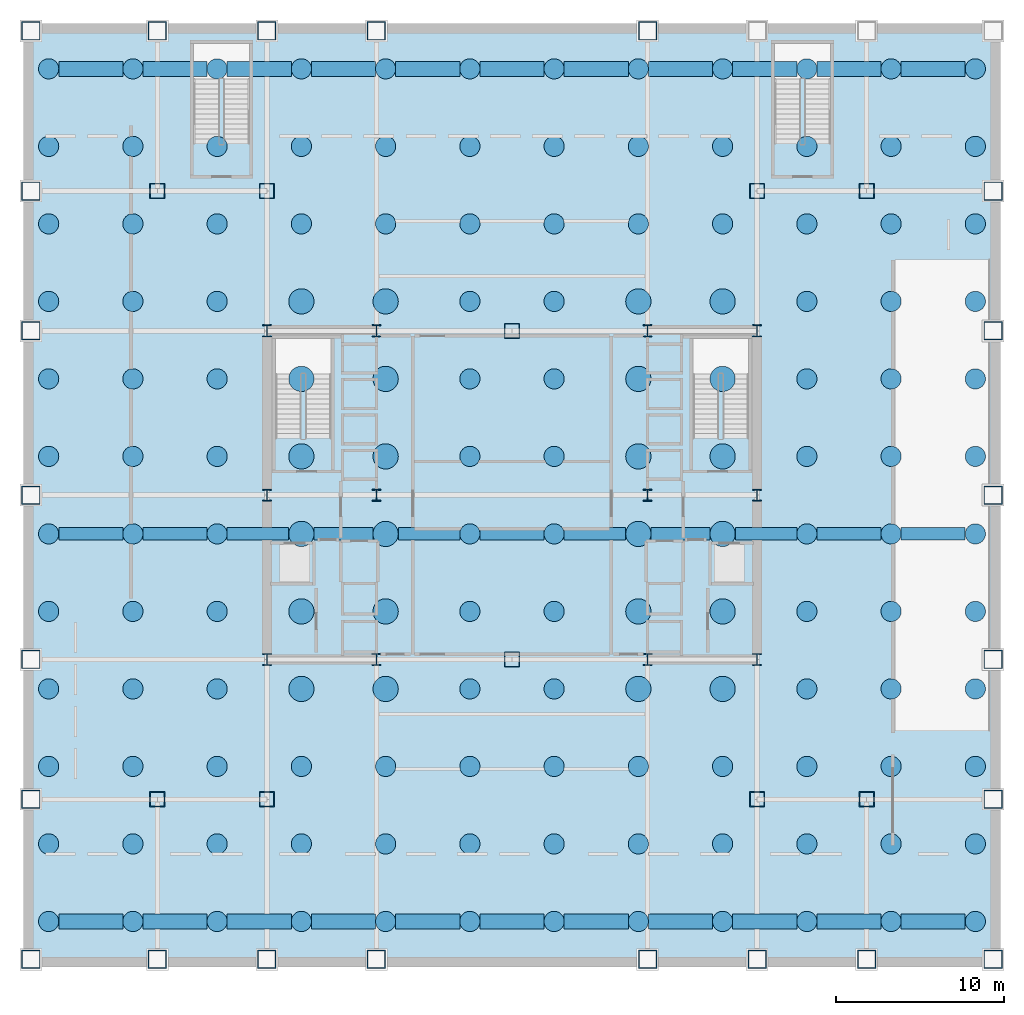
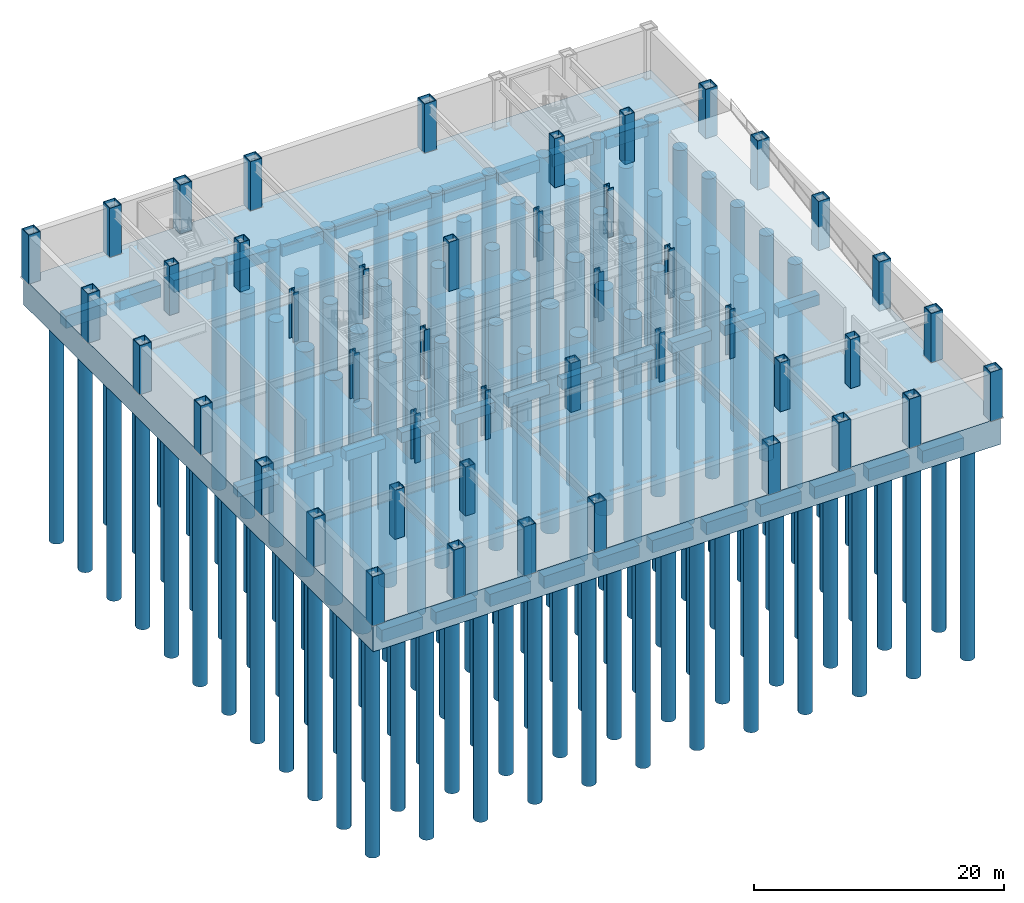
# One storey, part 1 of 8: 144 piles, 45 columns, 34 footings.
"""IFC4 building model written with IfcOpenShell, lengths in metres."""

from ifc_helpers import new_model, si_unit, direction, frame, origin, origin_2d, place, context, subcontext, project, spatial, polyline, rectangle, hollow_rectangle, circle, i_section, outline, extrude, material, layer, layer_set, material_profile, profile_set, type_object, element, save


model = new_model("IFC4")

# Units and contexts
model_context = context("Model", 3, precision=1e-05, world=origin(), true_north=direction((0.0, 1.0)))
body_context = subcontext(model_context, "Body", "Model", "MODEL_VIEW")
ifc_project = project(units=[si_unit("LENGTHUNIT", "METRE"), si_unit("AREAUNIT", "SQUARE_METRE"), si_unit("VOLUMEUNIT", "CUBIC_METRE"), si_unit("PLANEANGLEUNIT", "RADIAN"), si_unit("MASSUNIT", "GRAM", prefix="KILO")], contexts=[model_context])

# Site, building, storey
site_placement = place(None, origin())
site = spatial("IfcSite", under=ifc_project, at=site_placement, CompositionType="ELEMENT")
building_placement = place(site_placement, origin())
building = spatial("IfcBuilding", under=site, at=building_placement, Name="Brelmoor Portico Tower", CompositionType="ELEMENT")
storey_placement = place(building_placement, frame((0.0, 0.0, -9.60009765625)))
storey = spatial("IfcBuildingStorey", under=building, at=storey_placement, Name="B2", CompositionType="ELEMENT", Elevation=-9.60009765625)

# Footings
ifc_material_1 = material(Name="Concrete C50", Category="concrete")
ifc_layer = layer(ifc_material_1, 2.60009765625)
ifc_layer_set = layer_set([ifc_layer], Name="Concrete C50")
footing_type_1 = type_object("IfcFootingType", Name="FT-RAFT-2600", PredefinedType="PILE_CAP", material=ifc_layer_set)
footing_1_placement = place(storey_placement, frame((0.0, 0.0, -2.599853515625)))
element("IfcFooting", 1, at=footing_1_placement, inside=storey, type_object=footing_type_1, Name="Unified Piled Raft Foundation RF-01", PredefinedType="PILE_CAP", context=body_context, shape_type="SweptSolid", body=[
    extrude(outline(polyline([(-29.0, -28.0), (29.0, -28.0), (29.0, 28.0), (-29.0, 28.0), (-29.0, -28.0)])), origin(), (0.0, 0.0, 1.0), 2.599853515625),
])
ifc_material_profile_1 = material_profile(ifc_material_1, rectangle(XDim=0.75, YDim=1.0, at=origin_2d()), Name="RC 750x1000")
ifc_profile_set_1 = profile_set([ifc_material_profile_1], Name="Concrete C50")
footing_type_2 = type_object("IfcFootingType", Name="FT-TIE-750x1000", PredefinedType="FOOTING_BEAM", material=ifc_profile_set_1)
for number, where, z_axis, x_axis, name in (
    (2, (-26.89990234375, -2.300048828125, -3.099853515625), (1.0, 0.0, 0.0), (0.0, 1.0, 0.0), "Foundation Tie Beam FB-12"),
    (3, (-21.89990234375, -2.300048828125, -3.099853515625), (1.0, 0.0, 0.0), (0.0, 1.0, 0.0), "Foundation Tie Beam FB-13"),
):
    element("IfcFooting", number, at=place(storey_placement, frame(where, z_axis=z_axis, x_axis=x_axis)), inside=storey, type_object=footing_type_2, Name=name, PredefinedType="FOOTING_BEAM", context=body_context, shape_type="SweptSolid", body=[
        extrude(rectangle(XDim=0.75, YDim=1.0, at=origin_2d()), origin(), (0.0, 0.0, 1.0), 3.7998046875),
    ])
footing_2_placement = place(storey_placement, frame((-16.89990234375, -2.300048828125, -3.099853515625), z_axis=(1.0, 0.0, 0.0), x_axis=(0.0, 1.0, 0.0)))
element("IfcFooting", 4, at=footing_2_placement, inside=storey, type_object=footing_type_2, Name="Foundation Tie Beam FB-14", PredefinedType="FOOTING_BEAM", context=body_context, shape_type="SweptSolid", body=[
    extrude(rectangle(XDim=0.75, YDim=1.0, at=origin_2d()), origin(), (0.0, 0.0, 1.0), 3.64990234375),
])
footing_3_placement = place(storey_placement, frame((-11.75, -2.300048828125, -3.099853515625), z_axis=(1.0, 0.0, 0.0), x_axis=(0.0, 1.0, 0.0)))
element("IfcFooting", 5, at=footing_3_placement, inside=storey, type_object=footing_type_2, Name="Foundation Tie Beam FB-15", PredefinedType="FOOTING_BEAM", context=body_context, shape_type="SweptSolid", body=[
    extrude(rectangle(XDim=0.75, YDim=1.0, at=origin_2d()), origin(), (0.0, 0.0, 1.0), 3.5),
])
footing_4_placement = place(storey_placement, frame((-6.75, -2.300048828125, -3.099853515625), z_axis=(1.0, 0.0, 0.0), x_axis=(0.0, 1.0, 0.0)))
element("IfcFooting", 6, at=footing_4_placement, inside=storey, type_object=footing_type_2, Name="Foundation Tie Beam FB-16", PredefinedType="FOOTING_BEAM", context=body_context, shape_type="SweptSolid", body=[
    extrude(rectangle(XDim=0.75, YDim=1.0, at=origin_2d()), origin(), (0.0, 0.0, 1.0), 3.64990234375),
])
footing_5_placement = place(storey_placement, frame((-1.89990234375, -2.300048828125, -3.099853515625), z_axis=(1.0, 0.0, 0.0), x_axis=(0.0, 1.0, 0.0)))
element("IfcFooting", 7, at=footing_5_placement, inside=storey, type_object=footing_type_2, Name="Foundation Tie Beam FB-17", PredefinedType="FOOTING_BEAM", context=body_context, shape_type="SweptSolid", body=[
    extrude(rectangle(XDim=0.75, YDim=1.0, at=origin_2d()), origin(), (0.0, 0.0, 1.0), 3.7998046875),
])
footing_6_placement = place(storey_placement, frame((3.10009765625, -2.300048828125, -3.099853515625), z_axis=(1.0, 0.0, 0.0), x_axis=(0.0, 1.0, 0.0)))
element("IfcFooting", 8, at=footing_6_placement, inside=storey, type_object=footing_type_2, Name="Foundation Tie Beam FB-18", PredefinedType="FOOTING_BEAM", context=body_context, shape_type="SweptSolid", body=[
    extrude(rectangle(XDim=0.75, YDim=1.0, at=origin_2d()), origin(), (0.0, 0.0, 1.0), 3.64990234375),
])
footing_7_placement = place(storey_placement, frame((8.25, -2.300048828125, -3.099853515625), z_axis=(1.0, 0.0, 0.0), x_axis=(0.0, 1.0, 0.0)))
element("IfcFooting", 9, at=footing_7_placement, inside=storey, type_object=footing_type_2, Name="Foundation Tie Beam FB-19", PredefinedType="FOOTING_BEAM", context=body_context, shape_type="SweptSolid", body=[
    extrude(rectangle(XDim=0.75, YDim=1.0, at=origin_2d()), origin(), (0.0, 0.0, 1.0), 3.5),
])
footing_8_placement = place(storey_placement, frame((13.25, -2.300048828125, -3.099853515625), z_axis=(1.0, 0.0, 0.0), x_axis=(0.0, 1.0, 0.0)))
element("IfcFooting", 10, at=footing_8_placement, inside=storey, type_object=footing_type_2, Name="Foundation Tie Beam FB-20", PredefinedType="FOOTING_BEAM", context=body_context, shape_type="SweptSolid", body=[
    extrude(rectangle(XDim=0.75, YDim=1.0, at=origin_2d()), origin(), (0.0, 0.0, 1.0), 3.64990234375),
])
for number, where, z_axis, x_axis, name in (
    (11, (18.10009765625, -2.300048828125, -3.099853515625), (1.0, 0.0, 0.0), (0.0, 1.0, 0.0), "Foundation Tie Beam FB-21"),
    (12, (23.10009765625, -2.300048828125, -3.099853515625), (1.0, 0.0, 0.0), (0.0, 1.0, 0.0), "Foundation Tie Beam FB-22"),
):
    element("IfcFooting", number, at=place(storey_placement, frame(where, z_axis=z_axis, x_axis=x_axis)), inside=storey, type_object=footing_type_2, Name=name, PredefinedType="FOOTING_BEAM", context=body_context, shape_type="SweptSolid", body=[
        extrude(rectangle(XDim=0.75, YDim=1.0, at=origin_2d()), origin(), (0.0, 0.0, 1.0), 3.7998046875),
    ])
ifc_material_profile_2 = material_profile(ifc_material_1, rectangle(XDim=0.89990234375, YDim=1.199951171875, at=origin_2d()), Name="RC 900x1200")
ifc_profile_set_2 = profile_set([ifc_material_profile_2], Name="Concrete C50")
footing_type_3 = type_object("IfcFootingType", Name="FT-TIE-900x1200", PredefinedType="FOOTING_BEAM", material=ifc_profile_set_2)
for number, where, z_axis, x_axis, name in (
    (13, (-26.89990234375, -25.300048828125, -3.199951171875), (1.0, 0.0, 0.0), (0.0, 1.0, 0.0), "Foundation Tie Beam FB-01"),
    (14, (-21.89990234375, -25.300048828125, -3.199951171875), (1.0, 0.0, 0.0), (0.0, 1.0, 0.0), "Foundation Tie Beam FB-02"),
    (15, (-16.89990234375, -25.300048828125, -3.199951171875), (1.0, 0.0, 0.0), (0.0, 1.0, 0.0), "Foundation Tie Beam FB-03"),
    (16, (-11.89990234375, -25.300048828125, -3.199951171875), (1.0, 0.0, 0.0), (0.0, 1.0, 0.0), "Foundation Tie Beam FB-04"),
    (17, (-6.89990234375, -25.300048828125, -3.199951171875), (1.0, 0.0, 0.0), (0.0, 1.0, 0.0), "Foundation Tie Beam FB-05"),
    (18, (-1.89990234375, -25.300048828125, -3.199951171875), (1.0, 0.0, 0.0), (0.0, 1.0, 0.0), "Foundation Tie Beam FB-06"),
    (19, (3.10009765625, -25.300048828125, -3.199951171875), (1.0, 0.0, 0.0), (0.0, 1.0, 0.0), "Foundation Tie Beam FB-07"),
    (20, (8.10009765625, -25.300048828125, -3.199951171875), (1.0, 0.0, 0.0), (0.0, 1.0, 0.0), "Foundation Tie Beam FB-08"),
    (21, (13.10009765625, -25.300048828125, -3.199951171875), (1.0, 0.0, 0.0), (0.0, 1.0, 0.0), "Foundation Tie Beam FB-09"),
    (22, (18.10009765625, -25.300048828125, -3.199951171875), (1.0, 0.0, 0.0), (0.0, 1.0, 0.0), "Foundation Tie Beam FB-10"),
    (23, (23.10009765625, -25.300048828125, -3.199951171875), (1.0, 0.0, 0.0), (0.0, 1.0, 0.0), "Foundation Tie Beam FB-11"),
    (24, (-26.89990234375, 25.300048828125, -3.199951171875), (1.0, 0.0, 0.0), (0.0, 1.0, 0.0), "Foundation Tie Beam FB-23"),
    (25, (-21.89990234375, 25.300048828125, -3.199951171875), (1.0, 0.0, 0.0), (0.0, 1.0, 0.0), "Foundation Tie Beam FB-24"),
    (26, (-16.89990234375, 25.300048828125, -3.199951171875), (1.0, 0.0, 0.0), (0.0, 1.0, 0.0), "Foundation Tie Beam FB-25"),
    (27, (-11.89990234375, 25.300048828125, -3.199951171875), (1.0, 0.0, 0.0), (0.0, 1.0, 0.0), "Foundation Tie Beam FB-26"),
    (28, (-6.89990234375, 25.300048828125, -3.199951171875), (1.0, 0.0, 0.0), (0.0, 1.0, 0.0), "Foundation Tie Beam FB-27"),
    (29, (-1.89990234375, 25.300048828125, -3.199951171875), (1.0, 0.0, 0.0), (0.0, 1.0, 0.0), "Foundation Tie Beam FB-28"),
    (30, (3.10009765625, 25.300048828125, -3.199951171875), (1.0, 0.0, 0.0), (0.0, 1.0, 0.0), "Foundation Tie Beam FB-29"),
    (31, (8.10009765625, 25.300048828125, -3.199951171875), (1.0, 0.0, 0.0), (0.0, 1.0, 0.0), "Foundation Tie Beam FB-30"),
    (32, (13.10009765625, 25.300048828125, -3.199951171875), (1.0, 0.0, 0.0), (0.0, 1.0, 0.0), "Foundation Tie Beam FB-31"),
    (33, (18.10009765625, 25.300048828125, -3.199951171875), (1.0, 0.0, 0.0), (0.0, 1.0, 0.0), "Foundation Tie Beam FB-32"),
    (34, (23.10009765625, 25.300048828125, -3.199951171875), (1.0, 0.0, 0.0), (0.0, 1.0, 0.0), "Foundation Tie Beam FB-33"),
):
    element("IfcFooting", number, at=place(storey_placement, frame(where, z_axis=z_axis, x_axis=x_axis)), inside=storey, type_object=footing_type_3, Name=name, PredefinedType="FOOTING_BEAM", context=body_context, shape_type="SweptSolid", body=[
        extrude(rectangle(XDim=0.89990234375, YDim=1.199951171875, at=origin_2d()), origin(), (0.0, 0.0, 1.0), 3.7998046875),
    ])

# Piles
ifc_material_profile_3 = material_profile(ifc_material_1, circle(Radius=0.60009765625, at=origin_2d()), Name="BORED PILE D1200")
ifc_profile_set_3 = profile_set([ifc_material_profile_3], Name="Concrete C50")
pile_type_1 = type_object("IfcPileType", Name="PL-BORED-1200", PredefinedType="BORED", material=ifc_profile_set_3)
for number, where, z_axis, x_axis, name in (
    (35, (-27.5, -25.300048828125, -2.5), (0.0, 0.0, -1.0), (1.0, 0.0, 0.0), "Bored Pile 001"),
    (36, (-22.5, -25.300048828125, -2.5), (0.0, 0.0, -1.0), (1.0, 0.0, 0.0), "Bored Pile 002"),
    (37, (-17.5, -25.300048828125, -2.5), (0.0, 0.0, -1.0), (1.0, 0.0, 0.0), "Bored Pile 003"),
    (38, (-12.5, -25.300048828125, -2.5), (0.0, 0.0, -1.0), (1.0, 0.0, 0.0), "Bored Pile 004"),
    (39, (-7.5, -25.300048828125, -2.5), (0.0, 0.0, -1.0), (1.0, 0.0, 0.0), "Bored Pile 005"),
    (40, (-2.5, -25.300048828125, -2.5), (0.0, 0.0, -1.0), (1.0, 0.0, 0.0), "Bored Pile 006"),
    (41, (2.5, -25.300048828125, -2.5), (0.0, 0.0, -1.0), (1.0, 0.0, 0.0), "Bored Pile 007"),
    (42, (7.5, -25.300048828125, -2.5), (0.0, 0.0, -1.0), (1.0, 0.0, 0.0), "Bored Pile 008"),
    (43, (12.5, -25.300048828125, -2.5), (0.0, 0.0, -1.0), (1.0, 0.0, 0.0), "Bored Pile 009"),
    (44, (17.5, -25.300048828125, -2.5), (0.0, 0.0, -1.0), (1.0, 0.0, 0.0), "Bored Pile 010"),
    (45, (22.5, -25.300048828125, -2.5), (0.0, 0.0, -1.0), (1.0, 0.0, 0.0), "Bored Pile 011"),
    (46, (27.5, -25.300048828125, -2.5), (0.0, 0.0, -1.0), (1.0, 0.0, 0.0), "Bored Pile 012"),
    (47, (-27.5, -20.699951171875, -2.5), (0.0, 0.0, -1.0), (1.0, 0.0, 0.0), "Bored Pile 013"),
    (48, (-22.5, -20.699951171875, -2.5), (0.0, 0.0, -1.0), (1.0, 0.0, 0.0), "Bored Pile 014"),
    (49, (-17.5, -20.699951171875, -2.5), (0.0, 0.0, -1.0), (1.0, 0.0, 0.0), "Bored Pile 015"),
    (50, (-12.5, -20.699951171875, -2.5), (0.0, 0.0, -1.0), (1.0, 0.0, 0.0), "Bored Pile 016"),
    (51, (-7.5, -20.699951171875, -2.5), (0.0, 0.0, -1.0), (1.0, 0.0, 0.0), "Bored Pile 017"),
    (52, (-2.5, -20.699951171875, -2.5), (0.0, 0.0, -1.0), (1.0, 0.0, 0.0), "Bored Pile 018"),
    (53, (2.5, -20.699951171875, -2.5), (0.0, 0.0, -1.0), (1.0, 0.0, 0.0), "Bored Pile 019"),
    (54, (7.5, -20.699951171875, -2.5), (0.0, 0.0, -1.0), (1.0, 0.0, 0.0), "Bored Pile 020"),
    (55, (12.5, -20.699951171875, -2.5), (0.0, 0.0, -1.0), (1.0, 0.0, 0.0), "Bored Pile 021"),
    (56, (17.5, -20.699951171875, -2.5), (0.0, 0.0, -1.0), (1.0, 0.0, 0.0), "Bored Pile 022"),
    (57, (22.5, -20.699951171875, -2.5), (0.0, 0.0, -1.0), (1.0, 0.0, 0.0), "Bored Pile 023"),
    (58, (27.5, -20.699951171875, -2.5), (0.0, 0.0, -1.0), (1.0, 0.0, 0.0), "Bored Pile 024"),
    (59, (-27.5, -16.10009765625, -2.5), (0.0, 0.0, -1.0), (1.0, 0.0, 0.0), "Bored Pile 025"),
    (60, (-22.5, -16.10009765625, -2.5), (0.0, 0.0, -1.0), (1.0, 0.0, 0.0), "Bored Pile 026"),
    (61, (-17.5, -16.10009765625, -2.5), (0.0, 0.0, -1.0), (1.0, 0.0, 0.0), "Bored Pile 027"),
    (62, (-12.5, -16.10009765625, -2.5), (0.0, 0.0, -1.0), (1.0, 0.0, 0.0), "Bored Pile 028"),
    (63, (-7.5, -16.10009765625, -2.5), (0.0, 0.0, -1.0), (1.0, 0.0, 0.0), "Bored Pile 029"),
    (64, (-2.5, -16.10009765625, -2.5), (0.0, 0.0, -1.0), (1.0, 0.0, 0.0), "Bored Pile 030"),
    (65, (2.5, -16.10009765625, -2.5), (0.0, 0.0, -1.0), (1.0, 0.0, 0.0), "Bored Pile 031"),
    (66, (7.5, -16.10009765625, -2.5), (0.0, 0.0, -1.0), (1.0, 0.0, 0.0), "Bored Pile 032"),
    (67, (12.5, -16.10009765625, -2.5), (0.0, 0.0, -1.0), (1.0, 0.0, 0.0), "Bored Pile 033"),
    (68, (17.5, -16.10009765625, -2.5), (0.0, 0.0, -1.0), (1.0, 0.0, 0.0), "Bored Pile 034"),
    (69, (22.5, -16.10009765625, -2.5), (0.0, 0.0, -1.0), (1.0, 0.0, 0.0), "Bored Pile 035"),
    (70, (27.5, -16.10009765625, -2.5), (0.0, 0.0, -1.0), (1.0, 0.0, 0.0), "Bored Pile 036"),
    (71, (-27.5, -11.5, -2.5), (0.0, 0.0, -1.0), (1.0, 0.0, 0.0), "Bored Pile 037"),
    (72, (-22.5, -11.5, -2.5), (0.0, 0.0, -1.0), (1.0, 0.0, 0.0), "Bored Pile 038"),
    (73, (-17.5, -11.5, -2.5), (0.0, 0.0, -1.0), (1.0, 0.0, 0.0), "Bored Pile 039"),
    (74, (-2.5, -11.5, -2.5), (0.0, 0.0, -1.0), (1.0, 0.0, 0.0), "Bored Pile 042"),
    (75, (2.5, -11.5, -2.5), (0.0, 0.0, -1.0), (1.0, 0.0, 0.0), "Bored Pile 043"),
    (76, (17.5, -11.5, -2.5), (0.0, 0.0, -1.0), (1.0, 0.0, 0.0), "Bored Pile 046"),
    (77, (22.5, -11.5, -2.5), (0.0, 0.0, -1.0), (1.0, 0.0, 0.0), "Bored Pile 047"),
    (78, (27.5, -11.5, -2.5), (0.0, 0.0, -1.0), (1.0, 0.0, 0.0), "Bored Pile 048"),
    (79, (-27.5, -6.89990234375, -2.5), (0.0, 0.0, -1.0), (1.0, 0.0, 0.0), "Bored Pile 049"),
    (80, (-22.5, -6.89990234375, -2.5), (0.0, 0.0, -1.0), (1.0, 0.0, 0.0), "Bored Pile 050"),
    (81, (-17.5, -6.89990234375, -2.5), (0.0, 0.0, -1.0), (1.0, 0.0, 0.0), "Bored Pile 051"),
    (82, (-2.5, -6.89990234375, -2.5), (0.0, 0.0, -1.0), (1.0, 0.0, 0.0), "Bored Pile 054"),
    (83, (2.5, -6.89990234375, -2.5), (0.0, 0.0, -1.0), (1.0, 0.0, 0.0), "Bored Pile 055"),
    (84, (17.5, -6.89990234375, -2.5), (0.0, 0.0, -1.0), (1.0, 0.0, 0.0), "Bored Pile 058"),
    (85, (22.5, -6.89990234375, -2.5), (0.0, 0.0, -1.0), (1.0, 0.0, 0.0), "Bored Pile 059"),
    (86, (27.5, -6.89990234375, -2.5), (0.0, 0.0, -1.0), (1.0, 0.0, 0.0), "Bored Pile 060"),
    (87, (-27.5, -2.300048828125, -2.5), (0.0, 0.0, -1.0), (1.0, 0.0, 0.0), "Bored Pile 061"),
    (88, (-22.5, -2.300048828125, -2.5), (0.0, 0.0, -1.0), (1.0, 0.0, 0.0), "Bored Pile 062"),
    (89, (-17.5, -2.300048828125, -2.5), (0.0, 0.0, -1.0), (1.0, 0.0, 0.0), "Bored Pile 063"),
    (90, (-2.5, -2.300048828125, -2.5), (0.0, 0.0, -1.0), (1.0, 0.0, 0.0), "Bored Pile 066"),
    (91, (2.5, -2.300048828125, -2.5), (0.0, 0.0, -1.0), (1.0, 0.0, 0.0), "Bored Pile 067"),
    (92, (17.5, -2.300048828125, -2.5), (0.0, 0.0, -1.0), (1.0, 0.0, 0.0), "Bored Pile 070"),
    (93, (22.5, -2.300048828125, -2.5), (0.0, 0.0, -1.0), (1.0, 0.0, 0.0), "Bored Pile 071"),
    (94, (27.5, -2.300048828125, -2.5), (0.0, 0.0, -1.0), (1.0, 0.0, 0.0), "Bored Pile 072"),
    (95, (-27.5, 2.300048828125, -2.5), (0.0, 0.0, -1.0), (1.0, 0.0, 0.0), "Bored Pile 073"),
    (96, (-22.5, 2.300048828125, -2.5), (0.0, 0.0, -1.0), (1.0, 0.0, 0.0), "Bored Pile 074"),
    (97, (-17.5, 2.300048828125, -2.5), (0.0, 0.0, -1.0), (1.0, 0.0, 0.0), "Bored Pile 075"),
    (98, (-2.5, 2.300048828125, -2.5), (0.0, 0.0, -1.0), (1.0, 0.0, 0.0), "Bored Pile 078"),
    (99, (2.5, 2.300048828125, -2.5), (0.0, 0.0, -1.0), (1.0, 0.0, 0.0), "Bored Pile 079"),
    (100, (17.5, 2.300048828125, -2.5), (0.0, 0.0, -1.0), (1.0, 0.0, 0.0), "Bored Pile 082"),
    (101, (22.5, 2.300048828125, -2.5), (0.0, 0.0, -1.0), (1.0, 0.0, 0.0), "Bored Pile 083"),
    (102, (27.5, 2.300048828125, -2.5), (0.0, 0.0, -1.0), (1.0, 0.0, 0.0), "Bored Pile 084"),
    (103, (-27.5, 6.89990234375, -2.5), (0.0, 0.0, -1.0), (1.0, 0.0, 0.0), "Bored Pile 085"),
    (104, (-22.5, 6.89990234375, -2.5), (0.0, 0.0, -1.0), (1.0, 0.0, 0.0), "Bored Pile 086"),
    (105, (-17.5, 6.89990234375, -2.5), (0.0, 0.0, -1.0), (1.0, 0.0, 0.0), "Bored Pile 087"),
    (106, (-2.5, 6.89990234375, -2.5), (0.0, 0.0, -1.0), (1.0, 0.0, 0.0), "Bored Pile 090"),
    (107, (2.5, 6.89990234375, -2.5), (0.0, 0.0, -1.0), (1.0, 0.0, 0.0), "Bored Pile 091"),
    (108, (17.5, 6.89990234375, -2.5), (0.0, 0.0, -1.0), (1.0, 0.0, 0.0), "Bored Pile 094"),
    (109, (22.5, 6.89990234375, -2.5), (0.0, 0.0, -1.0), (1.0, 0.0, 0.0), "Bored Pile 095"),
    (110, (27.5, 6.89990234375, -2.5), (0.0, 0.0, -1.0), (1.0, 0.0, 0.0), "Bored Pile 096"),
    (111, (-27.5, 11.5, -2.5), (0.0, 0.0, -1.0), (1.0, 0.0, 0.0), "Bored Pile 097"),
    (112, (-22.5, 11.5, -2.5), (0.0, 0.0, -1.0), (1.0, 0.0, 0.0), "Bored Pile 098"),
    (113, (-17.5, 11.5, -2.5), (0.0, 0.0, -1.0), (1.0, 0.0, 0.0), "Bored Pile 099"),
    (114, (-2.5, 11.5, -2.5), (0.0, 0.0, -1.0), (1.0, 0.0, 0.0), "Bored Pile 102"),
    (115, (2.5, 11.5, -2.5), (0.0, 0.0, -1.0), (1.0, 0.0, 0.0), "Bored Pile 103"),
    (116, (17.5, 11.5, -2.5), (0.0, 0.0, -1.0), (1.0, 0.0, 0.0), "Bored Pile 106"),
    (117, (22.5, 11.5, -2.5), (0.0, 0.0, -1.0), (1.0, 0.0, 0.0), "Bored Pile 107"),
    (118, (27.5, 11.5, -2.5), (0.0, 0.0, -1.0), (1.0, 0.0, 0.0), "Bored Pile 108"),
    (119, (-27.5, 16.10009765625, -2.5), (0.0, 0.0, -1.0), (1.0, 0.0, 0.0), "Bored Pile 109"),
    (120, (-22.5, 16.10009765625, -2.5), (0.0, 0.0, -1.0), (1.0, 0.0, 0.0), "Bored Pile 110"),
    (121, (-17.5, 16.10009765625, -2.5), (0.0, 0.0, -1.0), (1.0, 0.0, 0.0), "Bored Pile 111"),
    (122, (-12.5, 16.10009765625, -2.5), (0.0, 0.0, -1.0), (1.0, 0.0, 0.0), "Bored Pile 112"),
    (123, (-7.5, 16.10009765625, -2.5), (0.0, 0.0, -1.0), (1.0, 0.0, 0.0), "Bored Pile 113"),
    (124, (-2.5, 16.10009765625, -2.5), (0.0, 0.0, -1.0), (1.0, 0.0, 0.0), "Bored Pile 114"),
    (125, (2.5, 16.10009765625, -2.5), (0.0, 0.0, -1.0), (1.0, 0.0, 0.0), "Bored Pile 115"),
    (126, (7.5, 16.10009765625, -2.5), (0.0, 0.0, -1.0), (1.0, 0.0, 0.0), "Bored Pile 116"),
    (127, (12.5, 16.10009765625, -2.5), (0.0, 0.0, -1.0), (1.0, 0.0, 0.0), "Bored Pile 117"),
    (128, (17.5, 16.10009765625, -2.5), (0.0, 0.0, -1.0), (1.0, 0.0, 0.0), "Bored Pile 118"),
    (129, (22.5, 16.10009765625, -2.5), (0.0, 0.0, -1.0), (1.0, 0.0, 0.0), "Bored Pile 119"),
    (130, (27.5, 16.10009765625, -2.5), (0.0, 0.0, -1.0), (1.0, 0.0, 0.0), "Bored Pile 120"),
    (131, (-27.5, 20.699951171875, -2.5), (0.0, 0.0, -1.0), (1.0, 0.0, 0.0), "Bored Pile 121"),
    (132, (-22.5, 20.699951171875, -2.5), (0.0, 0.0, -1.0), (1.0, 0.0, 0.0), "Bored Pile 122"),
    (133, (-17.5, 20.699951171875, -2.5), (0.0, 0.0, -1.0), (1.0, 0.0, 0.0), "Bored Pile 123"),
    (134, (-12.5, 20.699951171875, -2.5), (0.0, 0.0, -1.0), (1.0, 0.0, 0.0), "Bored Pile 124"),
    (135, (-7.5, 20.699951171875, -2.5), (0.0, 0.0, -1.0), (1.0, 0.0, 0.0), "Bored Pile 125"),
    (136, (-2.5, 20.699951171875, -2.5), (0.0, 0.0, -1.0), (1.0, 0.0, 0.0), "Bored Pile 126"),
    (137, (2.5, 20.699951171875, -2.5), (0.0, 0.0, -1.0), (1.0, 0.0, 0.0), "Bored Pile 127"),
    (138, (7.5, 20.699951171875, -2.5), (0.0, 0.0, -1.0), (1.0, 0.0, 0.0), "Bored Pile 128"),
    (139, (12.5, 20.699951171875, -2.5), (0.0, 0.0, -1.0), (1.0, 0.0, 0.0), "Bored Pile 129"),
    (140, (17.5, 20.699951171875, -2.5), (0.0, 0.0, -1.0), (1.0, 0.0, 0.0), "Bored Pile 130"),
    (141, (22.5, 20.699951171875, -2.5), (0.0, 0.0, -1.0), (1.0, 0.0, 0.0), "Bored Pile 131"),
    (142, (27.5, 20.699951171875, -2.5), (0.0, 0.0, -1.0), (1.0, 0.0, 0.0), "Bored Pile 132"),
    (143, (-27.5, 25.300048828125, -2.5), (0.0, 0.0, -1.0), (1.0, 0.0, 0.0), "Bored Pile 133"),
    (144, (-22.5, 25.300048828125, -2.5), (0.0, 0.0, -1.0), (1.0, 0.0, 0.0), "Bored Pile 134"),
    (145, (-17.5, 25.300048828125, -2.5), (0.0, 0.0, -1.0), (1.0, 0.0, 0.0), "Bored Pile 135"),
    (146, (-12.5, 25.300048828125, -2.5), (0.0, 0.0, -1.0), (1.0, 0.0, 0.0), "Bored Pile 136"),
    (147, (-7.5, 25.300048828125, -2.5), (0.0, 0.0, -1.0), (1.0, 0.0, 0.0), "Bored Pile 137"),
    (148, (-2.5, 25.300048828125, -2.5), (0.0, 0.0, -1.0), (1.0, 0.0, 0.0), "Bored Pile 138"),
    (149, (2.5, 25.300048828125, -2.5), (0.0, 0.0, -1.0), (1.0, 0.0, 0.0), "Bored Pile 139"),
    (150, (7.5, 25.300048828125, -2.5), (0.0, 0.0, -1.0), (1.0, 0.0, 0.0), "Bored Pile 140"),
    (151, (12.5, 25.300048828125, -2.5), (0.0, 0.0, -1.0), (1.0, 0.0, 0.0), "Bored Pile 141"),
    (152, (17.5, 25.300048828125, -2.5), (0.0, 0.0, -1.0), (1.0, 0.0, 0.0), "Bored Pile 142"),
    (153, (22.5, 25.300048828125, -2.5), (0.0, 0.0, -1.0), (1.0, 0.0, 0.0), "Bored Pile 143"),
    (154, (27.5, 25.300048828125, -2.5), (0.0, 0.0, -1.0), (1.0, 0.0, 0.0), "Bored Pile 144"),
):
    element("IfcPile", number, at=place(storey_placement, frame(where, z_axis=z_axis, x_axis=x_axis)), inside=storey, type_object=pile_type_1, Name=name, PredefinedType="BORED", context=body_context, shape_type="SweptSolid", body=[
        extrude(circle(Radius=0.60009765625, at=origin_2d()), origin(), (0.0, 0.0, 1.0), 22.0),
    ])
ifc_material_profile_4 = material_profile(ifc_material_1, circle(Radius=0.75, at=origin_2d()), Name="BORED PILE D1500")
ifc_profile_set_4 = profile_set([ifc_material_profile_4], Name="Concrete C50")
pile_type_2 = type_object("IfcPileType", Name="PL-BORED-1500", PredefinedType="BORED", material=ifc_profile_set_4)
for number, where, z_axis, x_axis, name in (
    (155, (-12.5, -11.5, -2.5), (0.0, 0.0, -1.0), (1.0, 0.0, 0.0), "Bored Pile 040"),
    (156, (-7.5, -11.5, -2.5), (0.0, 0.0, -1.0), (1.0, 0.0, 0.0), "Bored Pile 041"),
    (157, (7.5, -11.5, -2.5), (0.0, 0.0, -1.0), (1.0, 0.0, 0.0), "Bored Pile 044"),
    (158, (12.5, -11.5, -2.5), (0.0, 0.0, -1.0), (1.0, 0.0, 0.0), "Bored Pile 045"),
    (159, (-12.5, -6.89990234375, -2.5), (0.0, 0.0, -1.0), (1.0, 0.0, 0.0), "Bored Pile 052"),
    (160, (-7.5, -6.89990234375, -2.5), (0.0, 0.0, -1.0), (1.0, 0.0, 0.0), "Bored Pile 053"),
    (161, (7.5, -6.89990234375, -2.5), (0.0, 0.0, -1.0), (1.0, 0.0, 0.0), "Bored Pile 056"),
    (162, (12.5, -6.89990234375, -2.5), (0.0, 0.0, -1.0), (1.0, 0.0, 0.0), "Bored Pile 057"),
    (163, (-12.5, -2.300048828125, -2.5), (0.0, 0.0, -1.0), (1.0, 0.0, 0.0), "Bored Pile 064"),
    (164, (-7.5, -2.300048828125, -2.5), (0.0, 0.0, -1.0), (1.0, 0.0, 0.0), "Bored Pile 065"),
    (165, (7.5, -2.300048828125, -2.5), (0.0, 0.0, -1.0), (1.0, 0.0, 0.0), "Bored Pile 068"),
    (166, (12.5, -2.300048828125, -2.5), (0.0, 0.0, -1.0), (1.0, 0.0, 0.0), "Bored Pile 069"),
    (167, (-12.5, 2.300048828125, -2.5), (0.0, 0.0, -1.0), (1.0, 0.0, 0.0), "Bored Pile 076"),
    (168, (-7.5, 2.300048828125, -2.5), (0.0, 0.0, -1.0), (1.0, 0.0, 0.0), "Bored Pile 077"),
    (169, (7.5, 2.300048828125, -2.5), (0.0, 0.0, -1.0), (1.0, 0.0, 0.0), "Bored Pile 080"),
    (170, (12.5, 2.300048828125, -2.5), (0.0, 0.0, -1.0), (1.0, 0.0, 0.0), "Bored Pile 081"),
    (171, (-12.5, 6.89990234375, -2.5), (0.0, 0.0, -1.0), (1.0, 0.0, 0.0), "Bored Pile 088"),
    (172, (-7.5, 6.89990234375, -2.5), (0.0, 0.0, -1.0), (1.0, 0.0, 0.0), "Bored Pile 089"),
    (173, (7.5, 6.89990234375, -2.5), (0.0, 0.0, -1.0), (1.0, 0.0, 0.0), "Bored Pile 092"),
    (174, (12.5, 6.89990234375, -2.5), (0.0, 0.0, -1.0), (1.0, 0.0, 0.0), "Bored Pile 093"),
    (175, (-12.5, 11.5, -2.5), (0.0, 0.0, -1.0), (1.0, 0.0, 0.0), "Bored Pile 100"),
    (176, (-7.5, 11.5, -2.5), (0.0, 0.0, -1.0), (1.0, 0.0, 0.0), "Bored Pile 101"),
    (177, (7.5, 11.5, -2.5), (0.0, 0.0, -1.0), (1.0, 0.0, 0.0), "Bored Pile 104"),
    (178, (12.5, 11.5, -2.5), (0.0, 0.0, -1.0), (1.0, 0.0, 0.0), "Bored Pile 105"),
):
    element("IfcPile", number, at=place(storey_placement, frame(where, z_axis=z_axis, x_axis=x_axis)), inside=storey, type_object=pile_type_2, Name=name, PredefinedType="BORED", context=body_context, shape_type="SweptSolid", body=[
        extrude(circle(Radius=0.75, at=origin_2d()), origin(), (0.0, 0.0, 1.0), 22.0),
    ])

# Columns
ifc_material_2 = material(Name="Steel Q420B", Category="steel")
ifc_material_profile_5 = material_profile(ifc_material_2, hollow_rectangle(XDim=1.10009765625, YDim=1.10009765625, WallThickness=0.054931640625, at=origin_2d()), Name="BOX 1100x1100x55")
ifc_profile_set_5 = profile_set([ifc_material_profile_5], Name="Steel Q420B")
column_type_1 = type_object("IfcColumnType", Name="COL-MEGA-1100", PredefinedType="COLUMN", material=ifc_profile_set_5)
for number, where, z_axis, x_axis, name in (
    (179, (-28.550048828125, -27.550048828125, 0.0), (0.0, 0.0, 1.0), (1.0, 0.0, 0.0), "B2 Perimeter Mega-Column PS01"),
    (180, (-21.050048828125, -27.550048828125, 0.0), (0.0, 0.0, 1.0), (1.0, 0.0, 0.0), "B2 Perimeter Mega-Column PS02"),
    (181, (-14.550048828125, -27.550048828125, 0.0), (0.0, 0.0, 1.0), (1.0, 0.0, 0.0), "B2 Perimeter Mega-Column PS03"),
    (182, (-8.050048828125, -27.550048828125, 0.0), (0.0, 0.0, 1.0), (1.0, 0.0, 0.0), "B2 Perimeter Mega-Column PS04"),
    (183, (8.050048828125, -27.550048828125, 0.0), (0.0, 0.0, 1.0), (1.0, 0.0, 0.0), "B2 Perimeter Mega-Column PS05"),
    (184, (14.550048828125, -27.550048828125, 0.0), (0.0, 0.0, 1.0), (1.0, 0.0, 0.0), "B2 Perimeter Mega-Column PS06"),
    (185, (21.050048828125, -27.550048828125, 0.0), (0.0, 0.0, 1.0), (1.0, 0.0, 0.0), "B2 Perimeter Mega-Column PS07"),
    (186, (28.550048828125, -27.550048828125, 0.0), (0.0, 0.0, 1.0), (1.0, 0.0, 0.0), "B2 Perimeter Mega-Column PS08"),
    (187, (-28.550048828125, 27.550048828125, 0.0), (0.0, 0.0, 1.0), (1.0, 0.0, 0.0), "B2 Perimeter Mega-Column PN09"),
    (188, (-21.050048828125, 27.550048828125, 0.0), (0.0, 0.0, 1.0), (1.0, 0.0, 0.0), "B2 Perimeter Mega-Column PN10"),
    (189, (-14.550048828125, 27.550048828125, 0.0), (0.0, 0.0, 1.0), (1.0, 0.0, 0.0), "B2 Perimeter Mega-Column PN11"),
    (190, (-8.050048828125, 27.550048828125, 0.0), (0.0, 0.0, 1.0), (1.0, 0.0, 0.0), "B2 Perimeter Mega-Column PN12"),
    (191, (8.050048828125, 27.550048828125, 0.0), (0.0, 0.0, 1.0), (1.0, 0.0, 0.0), "B2 Perimeter Mega-Column PN13"),
    (192, (-28.550048828125, -18.050048828125, 0.0), (0.0, 0.0, 1.0), (0.0, 1.0, 0.0), "B2 Perimeter Mega-Column PW17"),
    (193, (28.550048828125, -18.050048828125, 0.0), (0.0, 0.0, 1.0), (0.0, 1.0, 0.0), "B2 Perimeter Mega-Column PE18"),
    (194, (-28.550048828125, -9.75, 0.0), (0.0, 0.0, 1.0), (0.0, 1.0, 0.0), "B2 Perimeter Mega-Column PW19"),
    (195, (28.550048828125, -9.75, 0.0), (0.0, 0.0, 1.0), (0.0, 1.0, 0.0), "B2 Perimeter Mega-Column PE20"),
    (196, (-28.550048828125, 0.0, 0.0), (0.0, 0.0, 1.0), (0.0, 1.0, 0.0), "B2 Perimeter Mega-Column PW21"),
    (197, (28.550048828125, 0.0, 0.0), (0.0, 0.0, 1.0), (0.0, 1.0, 0.0), "B2 Perimeter Mega-Column PE22"),
    (198, (-28.550048828125, 9.75, 0.0), (0.0, 0.0, 1.0), (0.0, 1.0, 0.0), "B2 Perimeter Mega-Column PW23"),
    (199, (28.550048828125, 9.75, 0.0), (0.0, 0.0, 1.0), (0.0, 1.0, 0.0), "B2 Perimeter Mega-Column PE24"),
    (200, (-28.550048828125, 18.050048828125, 0.0), (0.0, 0.0, 1.0), (0.0, 1.0, 0.0), "B2 Perimeter Mega-Column PW25"),
    (201, (28.550048828125, 18.050048828125, 0.0), (0.0, 0.0, 1.0), (0.0, 1.0, 0.0), "B2 Perimeter Mega-Column PE26"),
):
    element("IfcColumn", number, at=place(storey_placement, frame(where, z_axis=z_axis, x_axis=x_axis)), inside=storey, type_object=column_type_1, Name=name, PredefinedType="COLUMN", context=body_context, shape_type="SweptSolid", body=[
        extrude(hollow_rectangle(XDim=1.10009765625, YDim=1.10009765625, WallThickness=0.054931640625, at=origin_2d()), origin(), (0.0, 0.0, 1.0), 4.800048828125),
    ])
ifc_material_3 = material(Name="Steel Q355B", Category="steel")
ifc_material_profile_6 = material_profile(ifc_material_3, hollow_rectangle(XDim=0.89990234375, YDim=0.89990234375, WallThickness=0.044921875, at=origin_2d()), Name="BOX 900x900x45")
ifc_profile_set_6 = profile_set([ifc_material_profile_6], Name="Steel Q355B")
column_type_2 = type_object("IfcColumnType", Name="COL-MEGA-900", PredefinedType="COLUMN", material=ifc_profile_set_6)
for number, where, z_axis, x_axis, name in (
    (202, (0.0, -9.75, 0.0), (0.0, 0.0, 1.0), (1.0, 0.0, 0.0), "B2 Basement Central Column CB-S"),
    (203, (0.0, 9.75, 0.0), (0.0, 0.0, 1.0), (1.0, 0.0, 0.0), "B2 Basement Central Column CB-N"),
    (204, (-21.050048828125, -18.050048828125, 0.0), (0.0, 0.0, 1.0), (1.0, 0.0, 0.0), "B2 Podium Pier Column PP-SW1"),
    (205, (-14.550048828125, -18.050048828125, 0.0), (0.0, 0.0, 1.0), (1.0, 0.0, 0.0), "B2 Podium Pier Column PP-SW2"),
    (206, (-21.050048828125, 18.050048828125, 0.0), (0.0, 0.0, 1.0), (1.0, 0.0, 0.0), "B2 Podium Pier Column PP-NW1"),
    (207, (-14.550048828125, 18.050048828125, 0.0), (0.0, 0.0, 1.0), (1.0, 0.0, 0.0), "B2 Podium Pier Column PP-NW2"),
    (208, (14.550048828125, -18.050048828125, 0.0), (0.0, 0.0, 1.0), (1.0, 0.0, 0.0), "B2 Podium Pier Column PP-SE1"),
    (209, (21.050048828125, -18.050048828125, 0.0), (0.0, 0.0, 1.0), (1.0, 0.0, 0.0), "B2 Podium Pier Column PP-SE2"),
    (210, (14.550048828125, 18.050048828125, 0.0), (0.0, 0.0, 1.0), (1.0, 0.0, 0.0), "B2 Podium Pier Column PP-NE1"),
    (211, (21.050048828125, 18.050048828125, 0.0), (0.0, 0.0, 1.0), (1.0, 0.0, 0.0), "B2 Podium Pier Column PP-NE2"),
):
    element("IfcColumn", number, at=place(storey_placement, frame(where, z_axis=z_axis, x_axis=x_axis)), inside=storey, type_object=column_type_2, Name=name, PredefinedType="COLUMN", context=body_context, shape_type="SweptSolid", body=[
        extrude(hollow_rectangle(XDim=0.89990234375, YDim=0.89990234375, WallThickness=0.044921875, at=origin_2d()), origin(), (0.0, 0.0, 1.0), 4.800048828125),
    ])
ifc_material_profile_7 = material_profile(ifc_material_2, i_section(OverallWidth=0.5, OverallDepth=0.699951171875, WebThickness=0.028076171875, FlangeThickness=0.044921875, at=origin_2d()), Name="HW 700x500x28x45")
ifc_profile_set_7 = profile_set([ifc_material_profile_7], Name="Steel Q420B")
column_type_3 = type_object("IfcColumnType", Name="COL-SPINE-700", PredefinedType="COLUMN", material=ifc_profile_set_7)
for number, where, z_axis, x_axis, name in (
    (212, (-14.550048828125, -9.75, 0.0), (0.0, 0.0, 1.0), (1.0, 0.0, 0.0), "B2 Core Spine Column CW-SW"),
    (213, (-14.550048828125, 0.0, 0.0), (0.0, 0.0, 1.0), (1.0, 0.0, 0.0), "B2 Core Spine Column CW-MW"),
    (214, (-14.550048828125, 9.75, 0.0), (0.0, 0.0, 1.0), (1.0, 0.0, 0.0), "B2 Core Spine Column CW-NW"),
    (215, (-8.050048828125, -9.75, 0.0), (0.0, 0.0, 1.0), (1.0, 0.0, 0.0), "B2 Core Spine Column CW-SE"),
    (216, (-8.050048828125, 0.0, 0.0), (0.0, 0.0, 1.0), (1.0, 0.0, 0.0), "B2 Core Spine Column CW-ME"),
    (217, (-8.050048828125, 9.75, 0.0), (0.0, 0.0, 1.0), (1.0, 0.0, 0.0), "B2 Core Spine Column CW-NE"),
    (218, (8.050048828125, -9.75, 0.0), (0.0, 0.0, 1.0), (1.0, 0.0, 0.0), "B2 Core Spine Column CE-SW"),
    (219, (8.050048828125, 0.0, 0.0), (0.0, 0.0, 1.0), (1.0, 0.0, 0.0), "B2 Core Spine Column CE-MW"),
    (220, (8.050048828125, 9.75, 0.0), (0.0, 0.0, 1.0), (1.0, 0.0, 0.0), "B2 Core Spine Column CE-NW"),
    (221, (14.550048828125, -9.75, 0.0), (0.0, 0.0, 1.0), (1.0, 0.0, 0.0), "B2 Core Spine Column CE-SE"),
    (222, (14.550048828125, 0.0, 0.0), (0.0, 0.0, 1.0), (1.0, 0.0, 0.0), "B2 Core Spine Column CE-ME"),
    (223, (14.550048828125, 9.75, 0.0), (0.0, 0.0, 1.0), (1.0, 0.0, 0.0), "B2 Core Spine Column CE-NE"),
):
    element("IfcColumn", number, at=place(storey_placement, frame(where, z_axis=z_axis, x_axis=x_axis)), inside=storey, type_object=column_type_3, Name=name, PredefinedType="COLUMN", context=body_context, shape_type="SweptSolid", body=[
        extrude(i_section(OverallWidth=0.5, OverallDepth=0.699951171875, WebThickness=0.028076171875, FlangeThickness=0.044921875, at=origin_2d()), origin(), (0.0, 0.0, 1.0), 4.800048828125),
    ])

save(model, "model.ifc")
